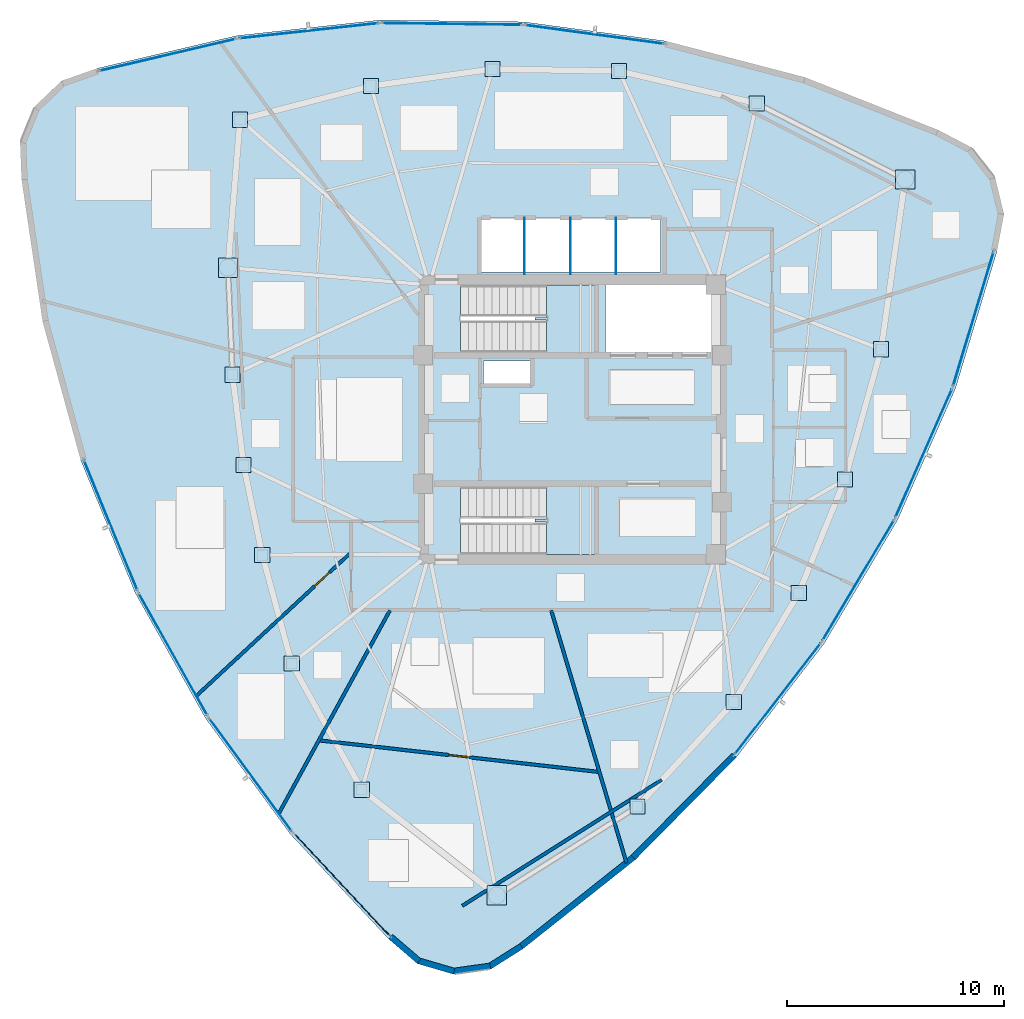
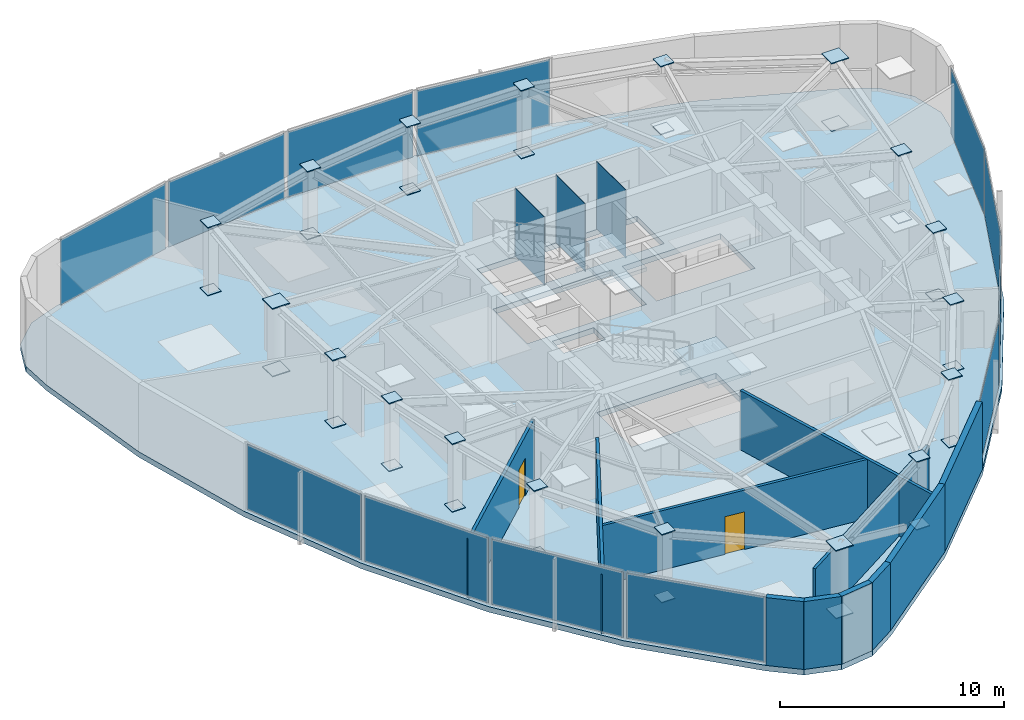
# One storey, part 7 of 12: 51 plates, 11 walls, 3 slabs, 2 doors, 2 openings, 14 elements without a shape of their own.
"""IFC4 building model written with IfcOpenShell, lengths in metres."""

from ifc_helpers import new_model, si_unit, direction, frame, frame_2d, origin, origin_2d, place, context, subcontext, project, spatial, polyline, rectangle, outline, extrude, source, transform, mapped, material, layer, layer_set, type_object, type_shapes, element, fill, aggregate, save


model = new_model("IFC4")

# Units and contexts
model_context = context("Model", 3, precision=1e-05, world=origin(), true_north=direction((0.0, 1.0)))
body_context = subcontext(model_context, "Body", "Model", "MODEL_VIEW")
ifc_project = project(units=[si_unit("LENGTHUNIT", "METRE"), si_unit("AREAUNIT", "SQUARE_METRE"), si_unit("VOLUMEUNIT", "CUBIC_METRE"), si_unit("PLANEANGLEUNIT", "RADIAN"), si_unit("MASSUNIT", "GRAM", prefix="KILO")], contexts=[model_context])

# Site, building, storey
site_placement = place(None, origin())
site = spatial("IfcSite", under=ifc_project, at=site_placement, CompositionType="ELEMENT")
building_placement = place(site_placement, origin())
building = spatial("IfcBuilding", under=site, at=building_placement, Name="Tavelor Broadcast Tower", CompositionType="ELEMENT")
storey_placement = place(building_placement, frame((0.0, 0.0, 277.5)))
storey = spatial("IfcBuildingStorey", under=building, at=storey_placement, Name="L66", CompositionType="ELEMENT", Elevation=277.5)

# Stair, slab
ifc_material_1 = material(Name="Concrete C40/50", Category="concrete")
stair_type = type_object("IfcStairType", Name="Reinforced Concrete Protected Dogleg Stair 1450 mm", PredefinedType="HALF_TURN_STAIR", material=ifc_material_1)
stair_1_placement = place(storey_placement, origin())
stair_1 = element("IfcStair", 1, at=stair_1_placement, inside=storey, type_object=stair_type, Name="L66 Protected Core Exit Stair ST1", PredefinedType="HALF_TURN_STAIR")
ifc_layer_1 = layer(ifc_material_1, 0.199951171875)
ifc_layer_set_1 = layer_set([ifc_layer_1], Name="Concrete C40/50")
slab_type_1 = type_object("IfcSlabType", Name="Reinforced Concrete Stair Half-Landing Slab 200 mm", PredefinedType="LANDING", material=ifc_layer_set_1)
slab_1_placement = place(storey_placement, frame((0.0, 0.0, 1.800048828125)))
slab_1 = element("IfcSlab", 2, at=slab_1_placement, type_object=slab_type_1, Name="ST1 landing 1", PredefinedType="LANDING", context=body_context, shape_type="SweptSolid", body=[
    extrude(outline(polyline([(48.804931640625, 49.590087890625), (48.804931640625, 48.094970703125), (51.0048828125, 48.094970703125), (51.0048828125, 51.205078125), (48.804931640625, 51.205078125), (48.804931640625, 49.7099609375), (48.264892578125, 49.7099609375), (48.264892578125, 49.590087890625), (48.804931640625, 49.590087890625)])), origin(), (0.0, 0.0, 1.0), 0.199951171875),
])
aggregate(stair_1, [slab_1])

stair_2_placement = place(storey_placement, origin())
stair_2 = element("IfcStair", 3, at=stair_2_placement, inside=storey, type_object=stair_type, Name="L66 Protected Core Exit Stair ST2", PredefinedType="HALF_TURN_STAIR")
slab_2_placement = place(storey_placement, frame((0.0, 0.0, 1.800048828125)))
slab_2 = element("IfcSlab", 4, at=slab_2_placement, type_object=slab_type_1, Name="ST2 landing 1", PredefinedType="LANDING", context=body_context, shape_type="SweptSolid", body=[
    extrude(outline(polyline([(48.804931640625, 40.2900390625), (48.804931640625, 38.794921875), (51.0048828125, 38.794921875), (51.0048828125, 41.905029296875), (48.804931640625, 41.905029296875), (48.804931640625, 40.409912109375), (48.264892578125, 40.409912109375), (48.264892578125, 40.2900390625), (48.804931640625, 40.2900390625)])), origin(), (0.0, 0.0, 1.0), 0.199951171875),
])
aggregate(stair_2, [slab_2])

# Slab
ifc_layer_2 = layer(ifc_material_1, 0.300048828125)
ifc_layer_set_2 = layer_set([ifc_layer_2], Name="Concrete C40/50")
slab_type_2 = type_object("IfcSlabType", Name="Tower Composite Floor Slab 300 mm", PredefinedType="FLOOR", material=ifc_layer_set_2)
slab_3_placement = place(storey_placement, frame((0.0, 0.0, -0.300048828125)))
element("IfcSlab", 5, at=slab_3_placement, inside=storey, type_object=slab_type_2, Name="L66 Structural Floor Slab", PredefinedType="FLOOR", context=body_context, shape_type="SweptSolid", body=[
    extrude(outline(polyline([(28.111083984375, 61.174072265625), (26.47119140625, 60.59814453125), (25.21337890625, 59.3984375), (24.560791015625, 57.787353515625), (24.629150390625, 56.050537109375), (25.598388671875, 49.506103515625), (27.352294921875, 43.126953125), (29.865478515625, 37.0068359375), (33.1005859375, 31.23583984375), (37.010498046875, 25.89892578125), (41.537353515625, 21.07421875), (42.856201171875, 19.94189453125), (44.52392578125, 19.45263671875), (46.245361328125, 19.693115234375), (47.71533203125, 20.62060546875), (52.8984375, 24.732177734375), (57.5458984375, 29.44091796875), (61.589599609375, 34.67724609375), (64.9697265625, 40.364501953125), (67.63671875, 46.4189453125), (69.551513671875, 52.751708984375), (69.872802734375, 54.4599609375), (69.462646484375, 56.14892578125), (68.393798828125, 57.51953125), (66.85546875, 58.328857421875), (60.703125, 60.76171875), (54.3017578125, 62.432373046875), (47.7451171875, 63.31591796875), (41.129638671875, 63.399658203125), (34.552734375, 62.68212890625), (28.111083984375, 61.174072265625)]), holes=[polyline([(50.99609375, 41.89599609375), (50.99609375, 38.803955078125), (44.85400390625, 38.803955078125), (44.85400390625, 41.89599609375), (50.99609375, 41.89599609375)]), polyline([(48.050048828125, 47.699951171875), (48.050048828125, 46.64990234375), (45.89990234375, 46.64990234375), (45.89990234375, 47.699951171875), (48.050048828125, 47.699951171875)]), polyline([(50.99609375, 51.196044921875), (50.99609375, 48.10400390625), (44.85400390625, 48.10400390625), (44.85400390625, 51.196044921875), (50.99609375, 51.196044921875)]), polyline([(56.60009765625, 48.10009765625), (51.52001953125, 48.10009765625), (51.52001953125, 51.199951171875), (56.60009765625, 51.199951171875), (56.60009765625, 48.10009765625)]), polyline([(54.050048828125, 51.800048828125), (45.800048828125, 51.800048828125), (45.800048828125, 54.25), (54.050048828125, 54.25), (54.050048828125, 51.800048828125)])]), origin(), (0.0, 0.0, 1.0), 0.300048828125),
])

# Plates
ifc_material_2 = material(Name="Steel S460", Category="steel")
ifc_layer_3 = layer(ifc_material_2, 0.050048828125)
ifc_layer_set_3 = layer_set([ifc_layer_3], Name="Steel S460")
plate_type_1 = type_object("IfcPlateType", Name="Tube Hollow-End Cap Plate KN05 700x700x50", PredefinedType="USERDEFINED", material=ifc_layer_set_3)
shared_shape_1 = source(origin(), body_context, "Body", "SweptSolid", [
    extrude(rectangle(XDim=0.699951171875, YDim=0.699951171875, at=origin_2d()), origin(), (0.0, 0.0, 1.0), 0.054931640625),
])
for number, where, z_axis, x_axis, name in (
    (6, (34.341552734375, 47.061279296875, -0.02734375), (0.0, 0.0, 1.0), (1.0, 0.0, 0.0), "L66 Hollow End Cap Plate KN05 #1959"),
    (7, (34.341552734375, 47.061279296875, 3.67236328125), (0.0, 0.0, 1.0), (1.0, 0.0, 0.0), "L66 Hollow End Cap Plate KN05 #1960"),
    (8, (34.85400390625, 42.90185546875, -0.02734375), (0.0, 0.0, 1.0), (1.0, 0.0, 0.0), "L66 Hollow End Cap Plate KN05 #1961"),
    (9, (34.85400390625, 42.90185546875, 3.67236328125), (0.0, 0.0, 1.0), (1.0, 0.0, 0.0), "L66 Hollow End Cap Plate KN05 #1962"),
    (10, (35.716552734375, 38.757080078125, -0.02734375), (0.0, 0.0, 1.0), (1.0, 0.0, 0.0), "L66 Hollow End Cap Plate KN05 #1963"),
    (11, (35.716552734375, 38.757080078125, 3.67236328125), (0.0, 0.0, 1.0), (1.0, 0.0, 0.0), "L66 Hollow End Cap Plate KN05 #1964"),
    (12, (37.068115234375, 33.759521484375, -0.02734375), (0.0, 0.0, 1.0), (1.0, 0.0, 0.0), "L66 Hollow End Cap Plate KN05 #1965"),
    (13, (37.068115234375, 33.759521484375, 3.67236328125), (0.0, 0.0, 1.0), (1.0, 0.0, 0.0), "L66 Hollow End Cap Plate KN05 #1966"),
    (14, (40.29638671875, 27.95361328125, -0.02734375), (0.0, 0.0, 1.0), (1.0, 0.0, 0.0), "L66 Hollow End Cap Plate KN05 #1967"),
    (15, (40.29638671875, 27.95361328125, 3.67236328125), (0.0, 0.0, 1.0), (1.0, 0.0, 0.0), "L66 Hollow End Cap Plate KN05 #1968"),
    (16, (52.992919921875, 27.1767578125, -0.02734375), (0.0, 0.0, 1.0), (1.0, 0.0, 0.0), "L66 Hollow End Cap Plate KN05 #1971"),
    (17, (52.992919921875, 27.1767578125, 3.67236328125), (0.0, 0.0, 1.0), (1.0, 0.0, 0.0), "L66 Hollow End Cap Plate KN05 #1972"),
    (18, (57.431396484375, 31.9921875, -0.02734375), (0.0, 0.0, 1.0), (1.0, 0.0, 0.0), "L66 Hollow End Cap Plate KN05 #1973"),
    (19, (57.431396484375, 31.9921875, 3.67236328125), (0.0, 0.0, 1.0), (1.0, 0.0, 0.0), "L66 Hollow End Cap Plate KN05 #1974"),
    (20, (60.41748046875, 37.00439453125, -0.02734375), (0.0, 0.0, 1.0), (1.0, 0.0, 0.0), "L66 Hollow End Cap Plate KN05 #1975"),
    (21, (60.41748046875, 37.00439453125, 3.67236328125), (0.0, 0.0, 1.0), (1.0, 0.0, 0.0), "L66 Hollow End Cap Plate KN05 #1976"),
    (22, (62.543701171875, 42.240478515625, -0.02734375), (0.0, 0.0, 1.0), (1.0, 0.0, 0.0), "L66 Hollow End Cap Plate KN05 #1977"),
    (23, (62.543701171875, 42.240478515625, 3.67236328125), (0.0, 0.0, 1.0), (1.0, 0.0, 0.0), "L66 Hollow End Cap Plate KN05 #1978"),
    (24, (64.21435546875, 48.2373046875, -0.02734375), (0.0, 0.0, 1.0), (1.0, 0.0, 0.0), "L66 Hollow End Cap Plate KN05 #1979"),
    (25, (64.21435546875, 48.2373046875, 3.67236328125), (0.0, 0.0, 1.0), (1.0, 0.0, 0.0), "L66 Hollow End Cap Plate KN05 #1980"),
    (26, (58.485595703125, 59.55712890625, -0.02734375), (0.0, 0.0, 1.0), (1.0, 0.0, 0.0), "L66 Hollow End Cap Plate KN05 #1983"),
    (27, (58.485595703125, 59.55712890625, 3.67236328125), (0.0, 0.0, 1.0), (1.0, 0.0, 0.0), "L66 Hollow End Cap Plate KN05 #1984"),
    (28, (52.147216796875, 61.05078125, -0.02734375), (0.0, 0.0, 1.0), (1.0, 0.0, 0.0), "L66 Hollow End Cap Plate KN05 #1985"),
    (29, (52.147216796875, 61.05078125, 3.67236328125), (0.0, 0.0, 1.0), (1.0, 0.0, 0.0), "L66 Hollow End Cap Plate KN05 #1986"),
    (30, (46.3154296875, 61.13720703125, -0.02734375), (0.0, 0.0, 1.0), (1.0, 0.0, 0.0), "L66 Hollow End Cap Plate KN05 #1987"),
    (31, (46.3154296875, 61.13720703125, 3.67236328125), (0.0, 0.0, 1.0), (1.0, 0.0, 0.0), "L66 Hollow End Cap Plate KN05 #1988"),
    (32, (40.718017578125, 60.36083984375, -0.02734375), (0.0, 0.0, 1.0), (1.0, 0.0, 0.0), "L66 Hollow End Cap Plate KN05 #1989"),
    (33, (40.718017578125, 60.36083984375, 3.67236328125), (0.0, 0.0, 1.0), (1.0, 0.0, 0.0), "L66 Hollow End Cap Plate KN05 #1990"),
    (34, (34.689208984375, 58.80908203125, -0.02734375), (0.0, 0.0, 1.0), (1.0, 0.0, 0.0), "L66 Hollow End Cap Plate KN05 #1991"),
    (35, (34.689208984375, 58.80908203125, 3.67236328125), (0.0, 0.0, 1.0), (1.0, 0.0, 0.0), "L66 Hollow End Cap Plate KN05 #1992"),
):
    element("IfcPlate", number, at=place(storey_placement, frame(where, z_axis=z_axis, x_axis=x_axis)), inside=storey, type_object=plate_type_1, Name=name, ObjectType="CAP PLATE", PredefinedType="USERDEFINED", context=body_context, shape_type="MappedRepresentation", body=[
        mapped(shared_shape_1, transform((0.0, 0.0, 0.0), scale=1.0)),
    ])
shared_shape_2 = source(origin(), body_context, "Body", "SweptSolid", [
    extrude(rectangle(XDim=0.89306640625, YDim=0.89306640625, at=origin_2d()), origin(), (0.0, 0.0, 1.0), 0.054931640625),
])
type_shapes(plate_type_1, [shared_shape_1, shared_shape_2])
for number, where, z_axis, x_axis, name in (
    (36, (34.134765625, 51.995849609375, -0.02734375), (0.0, 0.0, 1.0), (1.0, 0.0, 0.0), "L66 Hollow End Cap Plate KN05 #1957"),
    (37, (34.134765625, 51.995849609375, 3.67236328125), (0.0, 0.0, 1.0), (1.0, 0.0, 0.0), "L66 Hollow End Cap Plate KN05 #1958"),
    (38, (46.5146484375, 23.08740234375, -0.02734375), (0.0, 0.0, 1.0), (1.0, 0.0, 0.0), "L66 Hollow End Cap Plate KN05 #1969"),
    (39, (46.5146484375, 23.08740234375, 3.67236328125), (0.0, 0.0, 1.0), (1.0, 0.0, 0.0), "L66 Hollow End Cap Plate KN05 #1970"),
    (40, (65.319580078125, 56.0556640625, -0.02734375), (0.0, 0.0, 1.0), (1.0, 0.0, 0.0), "L66 Hollow End Cap Plate KN05 #1981"),
    (41, (65.319580078125, 56.0556640625, 3.67236328125), (0.0, 0.0, 1.0), (1.0, 0.0, 0.0), "L66 Hollow End Cap Plate KN05 #1982"),
):
    element("IfcPlate", number, at=place(storey_placement, frame(where, z_axis=z_axis, x_axis=x_axis)), inside=storey, type_object=plate_type_1, Name=name, ObjectType="CAP PLATE", PredefinedType="USERDEFINED", context=body_context, shape_type="MappedRepresentation", body=[
        mapped(shared_shape_2, transform((0.0, 0.0, 0.0), scale=1.0)),
    ])
ifc_material_3 = material(Name="Steel S355", Category="steel")
ifc_layer_4 = layer(ifc_material_3, 0.011962890625)
ifc_layer_set_4 = layer_set([ifc_layer_4], Name="Steel S355")
plate_type_2 = type_object("IfcPlateType", Name="Hoistway Steel Separator Screen 12 mm", PredefinedType="SHEET", material=ifc_layer_set_4)
shared_shape_3 = source(origin(), body_context, "Body", "SweptSolid", [
    extrude(rectangle(XDim=0.02001953125, YDim=2.6201171875, at=origin_2d()), origin(), (0.0, 0.0, 1.0), 3.699951171875),
])
type_shapes(plate_type_2, [shared_shape_3])
for number, where, z_axis, x_axis, name in (
    (42, (47.800048828125, 52.989990234375, 0.0), (0.0, 0.0, 1.0), (1.0, 0.0, 0.0), "L66 High-Rise Hoistway Separator Screen 1"),
    (43, (49.89990234375, 52.989990234375, 0.0), (0.0, 0.0, 1.0), (1.0, 0.0, 0.0), "L66 High-Rise Hoistway Separator Screen 2"),
    (44, (52.0, 52.989990234375, 0.0), (0.0, 0.0, 1.0), (1.0, 0.0, 0.0), "L66 High-Rise Hoistway Separator Screen 3"),
):
    element("IfcPlate", number, at=place(storey_placement, frame(where, z_axis=z_axis, x_axis=x_axis)), inside=storey, type_object=plate_type_2, Name=name, PredefinedType="SHEET", context=body_context, shape_type="MappedRepresentation", body=[
        mapped(shared_shape_3, transform((0.0, 0.0, 0.0), scale=1.0)),
    ])

# Curtain wall, plate
ifc_material_4 = material(Name="Architectural Anodized Aluminium", Category="aluminium")
ifc_layer_5 = layer(ifc_material_4, 0.199951171875)
ifc_layer_set_5 = layer_set([ifc_layer_5], Name="Architectural Anodized Aluminium")
curtain_wall_type = type_object("IfcCurtainWallType", Name="Tower High-Zone Triple-Glazed Curtain Wall CW04", PredefinedType="NOTDEFINED", material=ifc_layer_set_5)
curtain_wall_1_placement = place(storey_placement, origin())
curtain_wall_1 = element("IfcCurtainWall", 45, at=curtain_wall_1_placement, inside=storey, type_object=curtain_wall_type, Name="L66 Curtain Wall CW04 Run 721", PredefinedType="NOTDEFINED")
ifc_material_5 = material(Name="High-Altitude Triple Glazing 36 mm", Category="glass")
ifc_layer_6 = layer(ifc_material_5, 0.035888671875)
ifc_layer_set_6 = layer_set([ifc_layer_6], Name="High-Altitude Triple Glazing 36 mm")
plate_type_3 = type_object("IfcPlateType", Name="CW04 Insulated Vision Glazing Panel 36 mm", PredefinedType="CURTAIN_PANEL", material=ifc_layer_set_6)
shared_shape_4 = source(origin(), body_context, "Body", "SweptSolid", [
    extrude(rectangle(XDim=6.44384765625, YDim=0.035888671875, at=origin_2d()), origin(), (0.0, 0.0, 1.0), 3.56005859375),
])
plate_1_placement = place(storey_placement, frame((28.735595703125, 40.126953125, 0.070068359375), z_axis=(0.0, 0.0, 1.0), x_axis=(0.379865011777, -0.925041930308, 0.0)))
plate_1 = element("IfcPlate", 46, at=plate_1_placement, type_object=plate_type_3, Name="CW04 panel 1.1", PredefinedType="CURTAIN_PANEL", context=body_context, shape_type="MappedRepresentation", body=[
    mapped(shared_shape_4, transform((0.0, 0.0, 0.0), scale=1.0)),
])
aggregate(curtain_wall_1, [plate_1])

curtain_wall_2_placement = place(storey_placement, origin())
curtain_wall_2 = element("IfcCurtainWall", 47, at=curtain_wall_2_placement, inside=storey, type_object=curtain_wall_type, Name="L66 Curtain Wall CW04 Run 725", PredefinedType="NOTDEFINED")
plate_2_placement = place(storey_placement, frame((59.452392578125, 32.138671875, 0.070068359375), z_axis=(0.0, 0.0, 1.0), x_axis=(0.611185077838, 0.791487713504, 0.0)))
plate_2 = element("IfcPlate", 48, at=plate_2_placement, type_object=plate_type_3, Name="CW04 panel 1.1", PredefinedType="CURTAIN_PANEL", context=body_context, shape_type="MappedRepresentation", body=[
    mapped(shared_shape_4, transform((0.0, 0.0, 0.0), scale=1.0)),
])
aggregate(curtain_wall_2, [plate_2])

curtain_wall_3_placement = place(storey_placement, origin())
curtain_wall_3 = element("IfcCurtainWall", 49, at=curtain_wall_3_placement, inside=storey, type_object=curtain_wall_type, Name="L66 Curtain Wall CW04 Run 722", PredefinedType="NOTDEFINED")
shared_shape_5 = source(origin(), body_context, "Body", "SweptSolid", [
    extrude(rectangle(XDim=6.428955078125, YDim=0.035888671875, at=origin_2d()), origin(), (0.0, 0.0, 1.0), 3.56005859375),
])
plate_3_placement = place(storey_placement, frame((31.60498046875, 34.18994140625, 0.070068359375), z_axis=(0.0, 0.0, 1.0), x_axis=(0.488997340413, -0.87228527505, 0.0)))
plate_3 = element("IfcPlate", 50, at=plate_3_placement, type_object=plate_type_3, Name="CW04 panel 1.1", PredefinedType="CURTAIN_PANEL", context=body_context, shape_type="MappedRepresentation", body=[
    mapped(shared_shape_5, transform((0.0, 0.0, 0.0), scale=1.0)),
])
aggregate(curtain_wall_3, [plate_3])

curtain_wall_4_placement = place(storey_placement, origin())
curtain_wall_4 = element("IfcCurtainWall", 51, at=curtain_wall_4_placement, inside=storey, type_object=curtain_wall_type, Name="L66 Curtain Wall CW04 Run 723", PredefinedType="NOTDEFINED")
plate_4_placement = place(storey_placement, frame((35.16845703125, 28.650146484375, 0.070068359375), z_axis=(0.0, 0.0, 1.0), x_axis=(0.590966951379, -0.806695768167, 0.0)))
plate_4 = element("IfcPlate", 52, at=plate_4_placement, type_object=plate_type_3, Name="CW04 panel 1.1", PredefinedType="CURTAIN_PANEL", context=body_context, shape_type="MappedRepresentation", body=[
    mapped(shared_shape_5, transform((0.0, 0.0, 0.0), scale=1.0)),
])
aggregate(curtain_wall_4, [plate_4])

curtain_wall_5_placement = place(storey_placement, origin())
curtain_wall_5 = element("IfcCurtainWall", 53, at=curtain_wall_5_placement, inside=storey, type_object=curtain_wall_type, Name="L66 Curtain Wall CW04 Run 727", PredefinedType="NOTDEFINED")
plate_5_placement = place(storey_placement, frame((66.175048828125, 43.447998046875, 0.070068359375), z_axis=(0.0, 0.0, 1.0), x_axis=(0.403126301096, 0.915144352201, 0.0)))
plate_5 = element("IfcPlate", 54, at=plate_5_placement, type_object=plate_type_3, Name="CW04 panel 1.1", PredefinedType="CURTAIN_PANEL", context=body_context, shape_type="MappedRepresentation", body=[
    mapped(shared_shape_5, transform((0.0, 0.0, 0.0), scale=1.0)),
])
aggregate(curtain_wall_5, [plate_5])

curtain_wall_6_placement = place(storey_placement, origin())
curtain_wall_6 = element("IfcCurtainWall", 55, at=curtain_wall_6_placement, inside=storey, type_object=curtain_wall_type, Name="L66 Curtain Wall CW04 Run 731", PredefinedType="NOTDEFINED")
plate_6_placement = place(storey_placement, frame((37.8564453125, 62.90185546875, 0.070068359375), z_axis=(0.0, 0.0, 1.0), x_axis=(-0.994103578986, -0.108434654274, 0.0)))
plate_6 = element("IfcPlate", 56, at=plate_6_placement, type_object=plate_type_3, Name="CW04 panel 1.1", PredefinedType="CURTAIN_PANEL", context=body_context, shape_type="MappedRepresentation", body=[
    mapped(shared_shape_5, transform((0.0, 0.0, 0.0), scale=1.0)),
])
aggregate(curtain_wall_6, [plate_6])

curtain_wall_7_placement = place(storey_placement, origin())
curtain_wall_7 = element("IfcCurtainWall", 57, at=curtain_wall_7_placement, inside=storey, type_object=curtain_wall_type, Name="L66 Curtain Wall CW04 Run 724", PredefinedType="NOTDEFINED")
shared_shape_6 = source(origin(), body_context, "Body", "SweptSolid", [
    extrude(rectangle(XDim=6.44482421875, YDim=0.035888671875, at=origin_2d()), origin(), (0.0, 0.0, 1.0), 3.56005859375),
])
plate_7_placement = place(storey_placement, frame((39.38134765625, 23.57666015625, 0.070068359375), z_axis=(0.0, 0.0, 1.0), x_axis=(0.684242148173, -0.729254881824, 0.0)))
plate_7 = element("IfcPlate", 58, at=plate_7_placement, type_object=plate_type_3, Name="CW04 panel 1.1", PredefinedType="CURTAIN_PANEL", context=body_context, shape_type="MappedRepresentation", body=[
    mapped(shared_shape_6, transform((0.0, 0.0, 0.0), scale=1.0)),
])
aggregate(curtain_wall_7, [plate_7])

curtain_wall_8_placement = place(storey_placement, origin())
curtain_wall_8 = element("IfcCurtainWall", 59, at=curtain_wall_8_placement, inside=storey, type_object=curtain_wall_type, Name="L66 Curtain Wall CW04 Run 728", PredefinedType="NOTDEFINED")
plate_8_placement = place(storey_placement, frame((68.46240234375, 49.63330078125, 0.070068359375), z_axis=(0.0, 0.0, 1.0), x_axis=(0.289423155087, 0.957201252245, 0.0)))
plate_8 = element("IfcPlate", 60, at=plate_8_placement, type_object=plate_type_3, Name="CW04 panel 1.1", PredefinedType="CURTAIN_PANEL", context=body_context, shape_type="MappedRepresentation", body=[
    mapped(shared_shape_6, transform((0.0, 0.0, 0.0), scale=1.0)),
])
aggregate(curtain_wall_8, [plate_8])

curtain_wall_9_placement = place(storey_placement, origin())
curtain_wall_9 = element("IfcCurtainWall", 61, at=curtain_wall_9_placement, inside=storey, type_object=curtain_wall_type, Name="L66 Curtain Wall CW04 Run 732", PredefinedType="NOTDEFINED")
plate_9_placement = place(storey_placement, frame((31.356201171875, 61.7900390625, 0.070068359375), z_axis=(0.0, 0.0, 1.0), x_axis=(-0.973672690142, -0.227950636041, 0.0)))
plate_9 = element("IfcPlate", 62, at=plate_9_placement, type_object=plate_type_3, Name="CW04 panel 1.1", PredefinedType="CURTAIN_PANEL", context=body_context, shape_type="MappedRepresentation", body=[
    mapped(shared_shape_6, transform((0.0, 0.0, 0.0), scale=1.0)),
])
aggregate(curtain_wall_9, [plate_9])

curtain_wall_10_placement = place(storey_placement, origin())
curtain_wall_10 = element("IfcCurtainWall", 63, at=curtain_wall_10_placement, inside=storey, type_object=curtain_wall_type, Name="L66 Curtain Wall CW04 Run 726", PredefinedType="NOTDEFINED")
shared_shape_7 = source(origin(), body_context, "Body", "SweptSolid", [
    extrude(rectangle(XDim=6.4287109375, YDim=0.035888671875, at=origin_2d()), origin(), (0.0, 0.0, 1.0), 3.56005859375),
])
plate_10_placement = place(storey_placement, frame((63.1591796875, 37.59228515625, 0.070068359375), z_axis=(0.0, 0.0, 1.0), x_axis=(0.51090029161, 0.85963997815, 0.0)))
plate_10 = element("IfcPlate", 64, at=plate_10_placement, type_object=plate_type_3, Name="CW04 panel 1.1", PredefinedType="CURTAIN_PANEL", context=body_context, shape_type="MappedRepresentation", body=[
    mapped(shared_shape_7, transform((0.0, 0.0, 0.0), scale=1.0)),
])
aggregate(curtain_wall_10, [plate_10])

curtain_wall_11_placement = place(storey_placement, origin())
curtain_wall_11 = element("IfcCurtainWall", 65, at=curtain_wall_11_placement, inside=storey, type_object=curtain_wall_type, Name="L66 Curtain Wall CW04 Run 730", PredefinedType="NOTDEFINED")
plate_11_placement = place(storey_placement, frame((44.435546875, 63.2177734375, 0.070068359375), z_axis=(0.0, 0.0, 1.0), x_axis=(-0.99991997716, 0.012650663055, 0.0)))
plate_11 = element("IfcPlate", 66, at=plate_11_placement, type_object=plate_type_3, Name="CW04 panel 1.1", PredefinedType="CURTAIN_PANEL", context=body_context, shape_type="MappedRepresentation", body=[
    mapped(shared_shape_7, transform((0.0, 0.0, 0.0), scale=1.0)),
])
aggregate(curtain_wall_11, [plate_11])

curtain_wall_12_placement = place(storey_placement, origin())
curtain_wall_12 = element("IfcCurtainWall", 67, at=curtain_wall_12_placement, inside=storey, type_object=curtain_wall_type, Name="L66 Curtain Wall CW04 Run 729", PredefinedType="NOTDEFINED")
shared_shape_8 = source(origin(), body_context, "Body", "SweptSolid", [
    extrude(rectangle(XDim=6.444091796875, YDim=0.035888671875, at=origin_2d()), origin(), (0.0, 0.0, 1.0), 3.56005859375),
])
type_shapes(plate_type_3, [shared_shape_4, shared_shape_5, shared_shape_6, shared_shape_7, shared_shape_8])
plate_12_placement = place(storey_placement, frame((51.01220703125, 62.734375, 0.070068359375), z_axis=(0.0, 0.0, 1.0), x_axis=(-0.991041882883, 0.133551437177, 0.0)))
plate_12 = element("IfcPlate", 68, at=plate_12_placement, type_object=plate_type_3, Name="CW04 panel 1.1", PredefinedType="CURTAIN_PANEL", context=body_context, shape_type="MappedRepresentation", body=[
    mapped(shared_shape_8, transform((0.0, 0.0, 0.0), scale=1.0)),
])
aggregate(curtain_wall_12, [plate_12])

# Walls
ifc_material_6 = material(Name="Precast Concrete C40/50", Category="concrete")
ifc_layer_7 = layer(ifc_material_6, 0.280029296875)
ifc_layer_set_7 = layer_set([ifc_layer_7], Name="Precast Concrete C40/50")
wall_type_1 = type_object("IfcWallType", Name="Insulated Precast Terracotta Facade Wall 280 mm", PredefinedType="STANDARD", material=ifc_layer_set_7)
wall_1_placement = place(storey_placement, frame((41.631103515625, 21.17822265625, 0.0), z_axis=(0.0, 0.0, 1.0), x_axis=(0.758735212864, -0.651399168529, 0.0)))
element("IfcWall", 69, at=wall_1_placement, inside=storey, type_object=wall_type_1, Name="L66 Rounded Corner Structural Cladding Pier 11", PredefinedType="STANDARD", context=body_context, shape_type="SweptSolid", body=[
    extrude(rectangle(XDim=1.719482421875, YDim=0.280029296875, at=frame_2d((0.85986328125, 0.0))), origin(), (0.0, 0.0, 1.0), 3.699951171875),
])
wall_2_placement = place(storey_placement, frame((42.909912109375, 20.072021484375, 0.0), z_axis=(0.0, 0.0, 1.0), x_axis=(0.959574643945, -0.281454263955, 0.0)))
element("IfcWall", 70, at=wall_2_placement, inside=storey, type_object=wall_type_1, Name="L66 Rounded Corner Structural Cladding Pier 12", PredefinedType="STANDARD", context=body_context, shape_type="SweptSolid", body=[
    extrude(rectangle(XDim=1.7080078125, YDim=0.280029296875, at=frame_2d((0.85400390625, 0.0))), origin(), (0.0, 0.0, 1.0), 3.699951171875),
])
wall_3_placement = place(storey_placement, frame((44.51953125, 19.593505859375, 0.0), z_axis=(0.0, 0.0, 1.0), x_axis=(0.990398979039, 0.138238425625, 0.0)))
element("IfcWall", 71, at=wall_3_placement, inside=storey, type_object=wall_type_1, Name="L66 Rounded Corner Structural Cladding Pier 13", PredefinedType="STANDARD", context=body_context, shape_type="SweptSolid", body=[
    extrude(rectangle(XDim=1.707763671875, YDim=0.280029296875, at=frame_2d((0.85400390625, 0.0))), origin(), (0.0, 0.0, 1.0), 3.699951171875),
])
wall_4_placement = place(storey_placement, frame((46.18359375, 19.819580078125, 0.0), z_axis=(0.0, 0.0, 1.0), x_axis=(0.845723514068, 0.533621343044, 0.0)))
element("IfcWall", 72, at=wall_4_placement, inside=storey, type_object=wall_type_1, Name="L66 Rounded Corner Structural Cladding Pier 14", PredefinedType="STANDARD", context=body_context, shape_type="SweptSolid", body=[
    extrude(rectangle(XDim=1.730224609375, YDim=0.280029296875, at=frame_2d((0.865234375, 0.0))), origin(), (0.0, 0.0, 1.0), 3.699951171875),
])
wall_5_placement = place(storey_placement, frame((47.62255859375, 20.7255859375, 0.0), z_axis=(0.0, 0.0, 1.0), x_axis=(0.783430907522, 0.62147889195, 0.0)))
element("IfcWall", 73, at=wall_5_placement, inside=storey, type_object=wall_type_1, Name="L66 Rounded Corner Structural Cladding Pier 15", PredefinedType="STANDARD", context=body_context, shape_type="SweptSolid", body=[
    extrude(rectangle(XDim=6.6298828125, YDim=0.280029296875, at=frame_2d((3.31494140625, 0.0))), origin(), (0.0, 0.0, 1.0), 3.699951171875),
])
wall_6_placement = place(storey_placement, frame((52.794189453125, 24.825927734375, 0.0), z_axis=(0.0, 0.0, 1.0), x_axis=(0.702480356773, 0.711703132175, 0.0)))
element("IfcWall", 74, at=wall_6_placement, inside=storey, type_object=wall_type_1, Name="L66 Rounded Corner Structural Cladding Pier 16", PredefinedType="STANDARD", context=body_context, shape_type="SweptSolid", body=[
    extrude(rectangle(XDim=6.617919921875, YDim=0.280029296875, at=frame_2d((3.30908203125, 0.0))), origin(), (0.0, 0.0, 1.0), 3.699951171875),
])
ifc_material_7 = material(Name="Gypsum Acoustic Plasterboard 150 mm", Category="gypsum")
ifc_layer_8 = layer(ifc_material_7, 0.14990234375)
ifc_layer_set_8 = layer_set([ifc_layer_8], Name="Gypsum Acoustic Plasterboard 150 mm")
wall_type_2 = type_object("IfcWallType", Name="Interior Acoustic Partition Wall 150 mm", PredefinedType="PARTITIONING", material=ifc_layer_set_8)
wall_7_placement = place(storey_placement, frame((44.9267578125, 22.60546875, 0.0), z_axis=(0.0, 0.0, 1.0), x_axis=(0.845624548895, 0.533778158326, 0.0)))
element("IfcWall", 75, at=wall_7_placement, inside=storey, type_object=wall_type_2, Name="L66 Corner Tube Brace Furring Wall 2", PredefinedType="PARTITIONING", context=body_context, shape_type="SweptSolid", body=[
    extrude(rectangle(XDim=10.861083984375, YDim=0.14990234375, at=frame_2d((5.4306640625, 0.0))), origin(), (0.0, 0.0, 1.0), 3.175048828125),
])

# Wall, opening, door
wall_8_placement = place(storey_placement, frame((39.800048828125, 38.87841796875, 0.0), z_axis=(0.0, 0.0, 1.0), x_axis=(-0.733162754584, -0.680053215044, 0.0)))
wall_8 = element("IfcWall", 76, at=wall_8_placement, inside=storey, type_object=wall_type_2, Name="L66 Radial Compartment Wall 03", PredefinedType="PARTITIONING", context=body_context, shape_type="SweptSolid", body=[
    extrude(rectangle(XDim=9.722412109375, YDim=0.14990234375, at=frame_2d((4.861328125, 0.0))), origin(), (0.0, 0.0, 1.0), 3.235107421875),
])
opening_1_placement = place(wall_8_placement, frame((1.35009765625, 0.0, 0.0)))
opening_1 = element("IfcOpeningElement", 77, at=opening_1_placement, cuts=wall_8, Name="Opening DR18", PredefinedType="OPENING", context=body_context, shape_type="SweptSolid", body=[
    extrude(rectangle(XDim=0.949951171875, YDim=2.050048828125, at=frame_2d((0.47509765625, 1.02490234375))), frame((0.0, 0.0849609375, 0.0), z_axis=(0.0, -1.0, 0.0), x_axis=(1.0, 0.0, 0.0)), (0.0, 0.0, 1.0), 0.169921875),
])
ifc_material_8 = material(Name="Timber Solid Core Hardwood", Category="wood")
door_type_1 = type_object("IfcDoorType", Name="Corridor Rated Compartment Door 950x2050", OperationType="NOTDEFINED", PredefinedType="DOOR", material=ifc_material_8)
door_1_placement = place(opening_1_placement, origin())
door_1 = element("IfcDoor", 78, at=door_1_placement, inside=storey, type_object=door_type_1, Name="L66 Suite Connecting Door 4", OperationType="SINGLE_SWING_LEFT", OverallHeight=2.050048828125, OverallWidth=0.949951171875, PredefinedType="DOOR", context=body_context, shape_type="SweptSolid", body=[
    extrude(rectangle(XDim=0.949951171875, YDim=2.050048828125, at=frame_2d((0.47509765625, 1.02490234375))), frame((0.0, 0.02490234375, 0.0), z_axis=(0.0, -1.0, 0.0), x_axis=(1.0, 0.0, 0.0)), (0.0, 0.0, 1.0), 0.050048828125),
])
fill(opening_1, door_1)

# Walls
wall_9_placement = place(storey_placement, frame((41.59765625, 36.219970703125, 0.0), z_axis=(0.0, 0.0, 1.0), x_axis=(-0.479861016029, -0.877344519157, 0.0)))
element("IfcWall", 79, at=wall_9_placement, inside=storey, type_object=wall_type_2, Name="L66 Radial Compartment Wall 04", PredefinedType="PARTITIONING", context=body_context, shape_type="SweptSolid", body=[
    extrude(rectangle(XDim=10.67822265625, YDim=0.14990234375, at=frame_2d((5.339111328125, 0.0))), origin(), (0.0, 0.0, 1.0), 3.235107421875),
])
wall_10_placement = place(storey_placement, frame((49.018310546875, 36.219970703125, 0.0), z_axis=(0.0, 0.0, 1.0), x_axis=(0.285749448788, -0.958304363195, 0.0)))
element("IfcWall", 80, at=wall_10_placement, inside=storey, type_object=wall_type_2, Name="L66 Radial Compartment Wall 05", PredefinedType="PARTITIONING", context=body_context, shape_type="SweptSolid", body=[
    extrude(rectangle(XDim=12.15185546875, YDim=0.14990234375, at=frame_2d((6.075927734375, 0.0))), origin(), (0.0, 0.0, 1.0), 3.235107421875),
])

# Wall, opening, door
wall_11_placement = place(storey_placement, frame((38.318359375, 30.22412109375, 0.0), z_axis=(0.0, 0.0, 1.0), x_axis=(0.993703389401, -0.112042732438, 0.0)))
wall_11 = element("IfcWall", 81, at=wall_11_placement, inside=storey, type_object=wall_type_2, Name="L66 Suite Chord Partition Wall 01", PredefinedType="PARTITIONING", context=body_context, shape_type="SweptSolid", body=[
    extrude(rectangle(XDim=13.004150390625, YDim=0.14990234375, at=frame_2d((6.501953125, 0.0))), origin(), (0.0, 0.0, 1.0), 3.235107421875),
])
opening_2_placement = place(wall_11_placement, frame((6.027099609375, 0.0, 0.0)))
opening_2 = element("IfcOpeningElement", 82, at=opening_2_placement, cuts=wall_11, Name="Opening DR23", PredefinedType="OPENING", context=body_context, shape_type="SweptSolid", body=[
    extrude(rectangle(XDim=0.949951171875, YDim=2.050048828125, at=frame_2d((0.47509765625, 1.02490234375))), frame((0.0, 0.0849609375, 0.0), z_axis=(0.0, -1.0, 0.0), x_axis=(1.0, 0.0, 0.0)), (0.0, 0.0, 1.0), 0.169921875),
])
door_type_2 = type_object("IfcDoorType", Name="Editorial Room Acoustic Door 950x2050", OperationType="NOTDEFINED", PredefinedType="DOOR", material=ifc_material_8)
door_2_placement = place(opening_2_placement, origin())
door_2 = element("IfcDoor", 83, at=door_2_placement, inside=storey, type_object=door_type_2, Name="L66 Outer Suite Partition Door 1", OperationType="SINGLE_SWING_LEFT", OverallHeight=2.050048828125, OverallWidth=0.949951171875, PredefinedType="DOOR", context=body_context, shape_type="SweptSolid", body=[
    extrude(rectangle(XDim=0.949951171875, YDim=2.050048828125, at=frame_2d((0.47509765625, 1.02490234375))), frame((0.0, 0.02490234375, 0.0), z_axis=(0.0, -1.0, 0.0), x_axis=(1.0, 0.0, 0.0)), (0.0, 0.0, 1.0), 0.050048828125),
])
fill(opening_2, door_2)

save(model, "model.ifc")
